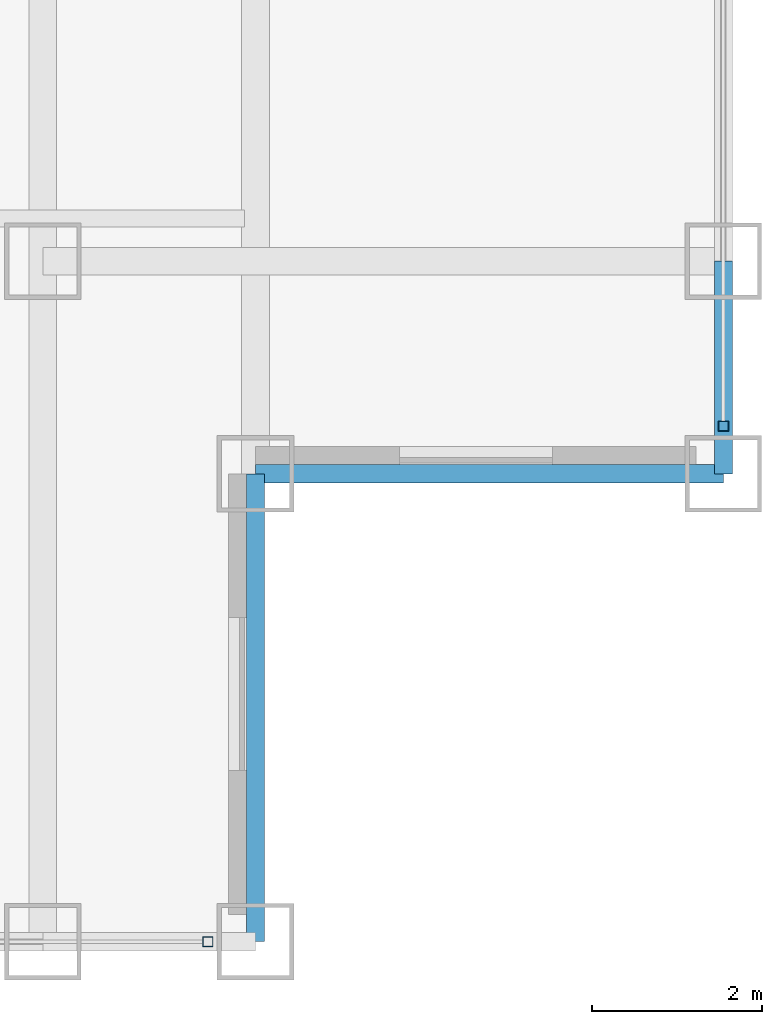
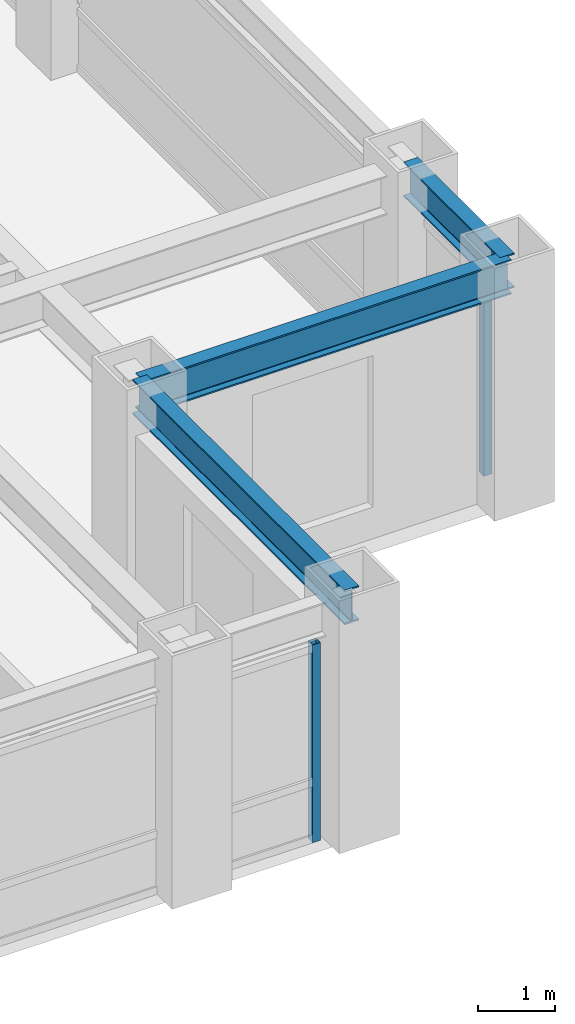
# One storey, part 8 of 22: 3 beams, 2 members, 2 elements without a shape of their own.
"""IFC4 building model written with IfcOpenShell, lengths in metres."""

from ifc_helpers import new_model, si_unit, direction, frame, origin, origin_2d, place, context, subcontext, project, spatial, hollow_rectangle, i_section, extrude, source, transform, mapped, material, material_profile, profile_set, type_object, element, aggregate, save


model = new_model("IFC4")

# Units and contexts
model_context = context("Model", 3, precision=1e-05, world=origin(), true_north=direction((0.0, 1.0)))
body_context = subcontext(model_context, "Body", "Model", "MODEL_VIEW")
ifc_project = project(units=[si_unit("LENGTHUNIT", "METRE"), si_unit("AREAUNIT", "SQUARE_METRE"), si_unit("VOLUMEUNIT", "CUBIC_METRE"), si_unit("PLANEANGLEUNIT", "RADIAN"), si_unit("MASSUNIT", "GRAM", prefix="KILO")], contexts=[model_context])

# Site, building, storey
site_placement = place(None, origin())
site = spatial("IfcSite", under=ifc_project, at=site_placement, CompositionType="ELEMENT")
building_placement = place(site_placement, origin())
building = spatial("IfcBuilding", under=site, at=building_placement, Name="Khorayat Bourse Tower", CompositionType="ELEMENT")
storey_placement = place(building_placement, frame((0.0, 0.0, 293.5)))
storey = spatial("IfcBuildingStorey", under=building, at=storey_placement, Name="L69", CompositionType="ELEMENT", Elevation=293.5)

# Beams
ifc_material_1 = material(Name="Steel ASTM A992 Grade 50", Category="steel")
ifc_material_profile_1 = material_profile(ifc_material_1, i_section(OverallWidth=0.214111328125, OverallDepth=0.549072265625, WebThickness=0.0146484375, FlangeThickness=0.023681640625, FilletRadius=0.013916015625, at=origin_2d()), Name="W530X138")
ifc_profile_set_1 = profile_set([ifc_material_profile_1], Name="Steel ASTM A992 Grade 50")
beam_type = type_object("IfcBeamType", Name="BM-SPAN-530", PredefinedType="SPANDREL", material=ifc_profile_set_1)
shared_shape_1 = source(origin(), body_context, "Body", "SweptSolid", [
    extrude(i_section(OverallWidth=0.214111328125, OverallDepth=0.549072265625, WebThickness=0.0146484375, FlangeThickness=0.023681640625, FilletRadius=0.013916015625, at=origin_2d()), origin(), (0.0, 0.0, 1.0), 2.5),
])
beam_placement = place(storey_placement, frame((28.0, -22.5, 3.505615234375), z_axis=(0.0, 1.0, 0.0), x_axis=(-1.0, 0.0, 0.0)))
element("IfcBeam", 1, at=beam_placement, inside=storey, type_object=beam_type, Name="L69 BM-SPAN-530 BM-L69-SPN-034", PredefinedType="SPANDREL", context=body_context, shape_type="MappedRepresentation", body=[
    mapped(shared_shape_1, transform((0.0, 0.0, 0.0), scale=1.0)),
])
shared_shape_2 = source(origin(), body_context, "Body", "SweptSolid", [
    extrude(i_section(OverallWidth=0.214111328125, OverallDepth=0.549072265625, WebThickness=0.0146484375, FlangeThickness=0.023681640625, FilletRadius=0.013916015625, at=origin_2d()), origin(), (0.0, 0.0, 1.0), 5.5),
])
for number, where, z_axis, x_axis, name in (
    (2, (22.5, -28.0, 3.505615234375), (0.0, 1.0, 0.0), (-1.0, 0.0, 0.0), "L69 BM-SPAN-530 BM-L69-SPN-032"),
    (3, (22.5, -22.5, 3.505615234375), (1.0, 0.0, 0.0), (0.0, 1.0, 0.0), "L69 BM-SPAN-530 BM-L69-SPN-033"),
):
    element("IfcBeam", number, at=place(storey_placement, frame(where, z_axis=z_axis, x_axis=x_axis)), inside=storey, type_object=beam_type, Name=name, PredefinedType="SPANDREL", context=body_context, shape_type="MappedRepresentation", body=[
        mapped(shared_shape_2, transform((0.0, 0.0, 0.0), scale=1.0)),
    ])

# Curtain wall, member
ifc_material_2 = material(Name="Aluminium EN AW-6063 T6", Category="aluminium")
curtain_wall_type = type_object("IfcCurtainWallType", Name="CW-SYS-04", PredefinedType="NOTDEFINED", material=ifc_material_2)
curtain_wall_1_placement = place(storey_placement, origin())
curtain_wall_1 = element("IfcCurtainWall", 4, at=curtain_wall_1_placement, inside=storey, type_object=curtain_wall_type, Name="L69 Curtain Wall CW-L69-S1", PredefinedType="NOTDEFINED")
ifc_material_profile_2 = material_profile(ifc_material_2, hollow_rectangle(XDim=0.1201171875, YDim=0.1201171875, WallThickness=0.0048828125, at=origin_2d()), Name="ALU 120x120x5")
ifc_profile_set_2 = profile_set([ifc_material_profile_2], Name="Aluminium EN AW-6063 T6")
member_type = type_object("IfcMemberType", Name="CWM-VERT-120", PredefinedType="MULLION", material=ifc_profile_set_2)
shared_shape_3 = source(origin(), body_context, "Body", "SweptSolid", [
    extrude(hollow_rectangle(XDim=0.1201171875, YDim=0.1201171875, WallThickness=0.0048828125, at=origin_2d()), origin(), (0.0, 0.0, 1.0), 3.1298828125),
])
member_1_placement = place(storey_placement, frame((21.93994140625, -28.0, 0.0), z_axis=(0.0, 0.0, 1.0), x_axis=(0.0, 1.0, 0.0)))
member_1 = element("IfcMember", 5, at=member_1_placement, type_object=member_type, Name="CW-L69-S1 Vertical Mullion 3", PredefinedType="MULLION", context=body_context, shape_type="MappedRepresentation", body=[
    mapped(shared_shape_3, transform((0.0, 0.0, 0.0), scale=1.0)),
])
aggregate(curtain_wall_1, [member_1])

curtain_wall_2_placement = place(storey_placement, origin())
curtain_wall_2 = element("IfcCurtainWall", 6, at=curtain_wall_2_placement, inside=storey, type_object=curtain_wall_type, Name="L69 Curtain Wall CW-L69-E1", PredefinedType="NOTDEFINED")
member_2_placement = place(storey_placement, frame((28.0, -21.93994140625, 0.0), z_axis=(0.0, 0.0, 1.0), x_axis=(-1.0, 0.0, 0.0)))
member_2 = element("IfcMember", 7, at=member_2_placement, type_object=member_type, Name="CW-L69-E1 Vertical Mullion 1", PredefinedType="MULLION", context=body_context, shape_type="MappedRepresentation", body=[
    mapped(shared_shape_3, transform((0.0, 0.0, 0.0), scale=1.0)),
])
aggregate(curtain_wall_2, [member_2])

save(model, "model.ifc")
